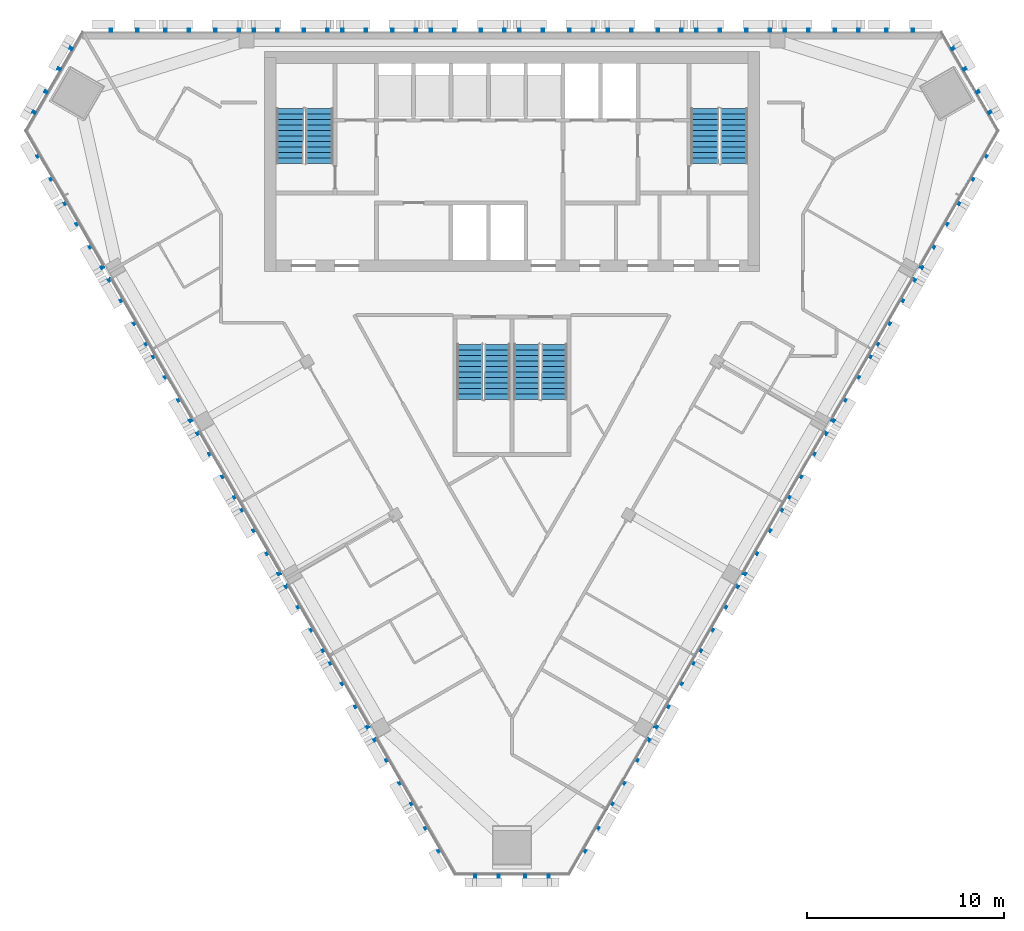
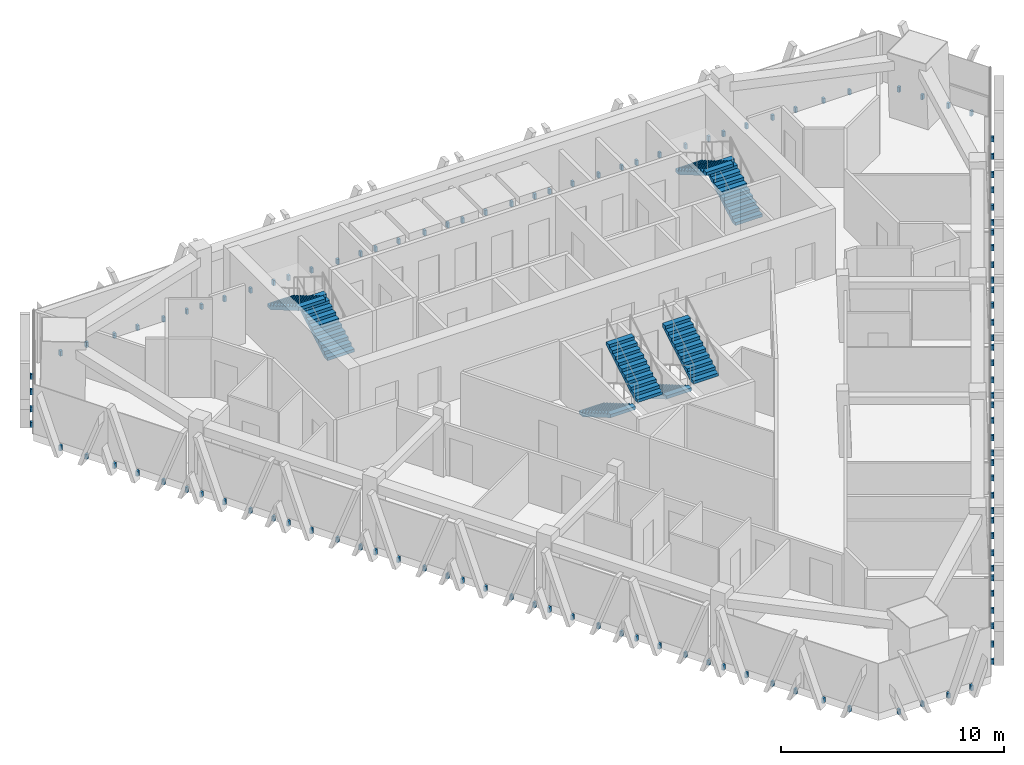
# One storey, part 11 of 14: 8 stair flights, 6 discrete accessories, 4 elements without a shape of their own.
"""IFC4 building model written with IfcOpenShell, lengths in metres."""

from ifc_helpers import new_model, si_unit, direction, frame, origin, place, context, subcontext, project, spatial, polyline, outline, extrude, source, transform, mapped, material, type_object, element, aggregate, save


model = new_model("IFC4")

# Units and contexts
model_context = context("Model", 3, precision=1e-05, world=origin(), true_north=direction((0.0, 1.0)))
body_context = subcontext(model_context, "Body", "Model", "MODEL_VIEW")
ifc_project = project(units=[si_unit("LENGTHUNIT", "METRE"), si_unit("AREAUNIT", "SQUARE_METRE"), si_unit("VOLUMEUNIT", "CUBIC_METRE"), si_unit("PLANEANGLEUNIT", "RADIAN"), si_unit("MASSUNIT", "GRAM", prefix="KILO")], contexts=[model_context])

# Site, building, storey
site_placement = place(None, origin())
site = spatial("IfcSite", under=ifc_project, at=site_placement, CompositionType="ELEMENT")
building_placement = place(site_placement, origin())
building = spatial("IfcBuilding", under=site, at=building_placement, Name="Altiplano Prism Tower", CompositionType="ELEMENT")
storey_placement = place(building_placement, frame((0.0, 0.0, 223.0)))
storey = spatial("IfcBuildingStorey", under=building, at=storey_placement, Name="L57", CompositionType="ELEMENT", Elevation=223.0)

# Stair, stair flights
ifc_material_1 = material(Name="Concrete C40/50", Category="concrete")
stair_type_1 = type_object("IfcStairType", Name="Exit stair 1400", PredefinedType="HALF_TURN_STAIR", material=ifc_material_1)
stair_1_placement = place(storey_placement, origin())
stair_1 = element("IfcStair", 1, at=stair_1_placement, inside=storey, type_object=stair_type_1, Name="L57 Exit Stair 1", PredefinedType="HALF_TURN_STAIR")
stair_flight_type = type_object("IfcStairFlightType", Name="Stair flight concrete 150", PredefinedType="STRAIGHT", material=ifc_material_1)
stair_flight_1_placement = place(storey_placement, frame((75.199951171875, 98.300048828125, 0.0), z_axis=(0.0, 0.0, 1.0), x_axis=(0.0, 1.0, 0.0)))
stair_flight_1 = element("IfcStairFlight", 2, at=stair_flight_1_placement, type_object=stair_flight_type, Name="ST1 flight 1", NumberOfRisers=11, NumberOfTreads=10, PredefinedType="STRAIGHT", RiserHeight=0.163636364, TreadLength=0.28, context=body_context, shape_type="SweptSolid", body=[
    extrude(outline(polyline([(0.0, 0.0), (0.0, 0.16357421875), (0.280029296875, 0.16357421875), (0.280029296875, 0.327392578125), (0.56005859375, 0.327392578125), (0.56005859375, 0.490966796875), (0.840087890625, 0.490966796875), (0.840087890625, 0.654541015625), (1.1201171875, 0.654541015625), (1.1201171875, 0.818115234375), (1.39990234375, 0.818115234375), (1.39990234375, 0.98193359375), (1.679931640625, 0.98193359375), (1.679931640625, 1.1455078125), (1.9599609375, 1.1455078125), (1.9599609375, 1.30908203125), (2.239990234375, 1.30908203125), (2.239990234375, 1.47265625), (2.52001953125, 1.47265625), (2.52001953125, 1.636474609375), (2.800048828125, 1.636474609375), (2.800048828125, 1.800048828125), (2.800048828125, 1.462646484375), (0.297119140625, 0.0), (0.0, 0.0)])), frame((0.0, 0.699951171875, 0.0), z_axis=(0.0, -1.0, 0.0), x_axis=(1.0, 0.0, 0.0)), (0.0, 0.0, 1.0), 1.39990234375),
])
stair_flight_2_placement = place(storey_placement, frame((73.699951171875, 101.10009765625, 1.800048828125), z_axis=(0.0, 0.0, 1.0), x_axis=(0.0, -1.0, 0.0)))
stair_flight_2 = element("IfcStairFlight", 3, at=stair_flight_2_placement, type_object=stair_flight_type, Name="ST1 flight 2", NumberOfRisers=11, NumberOfTreads=10, PredefinedType="STRAIGHT", RiserHeight=0.163636364, TreadLength=0.28, context=body_context, shape_type="SweptSolid", body=[
    extrude(outline(polyline([(0.0, 0.0), (0.0, 0.16357421875), (0.280029296875, 0.16357421875), (0.280029296875, 0.327392578125), (0.56005859375, 0.327392578125), (0.56005859375, 0.490966796875), (0.840087890625, 0.490966796875), (0.840087890625, 0.654541015625), (1.1201171875, 0.654541015625), (1.1201171875, 0.818115234375), (1.39990234375, 0.818115234375), (1.39990234375, 0.98193359375), (1.679931640625, 0.98193359375), (1.679931640625, 1.1455078125), (1.9599609375, 1.1455078125), (1.9599609375, 1.30908203125), (2.239990234375, 1.30908203125), (2.239990234375, 1.47265625), (2.52001953125, 1.47265625), (2.52001953125, 1.636474609375), (2.800048828125, 1.636474609375), (2.800048828125, 1.800048828125), (2.800048828125, 1.462646484375), (0.297119140625, 0.0), (0.0, 0.0)])), frame((0.0, 0.699951171875, 0.0), z_axis=(0.0, -1.0, 0.0), x_axis=(1.0, 0.0, 0.0)), (0.0, 0.0, 1.0), 1.39990234375),
])
aggregate(stair_1, [stair_flight_1, stair_flight_2])

stair_2_placement = place(storey_placement, origin())
stair_2 = element("IfcStair", 4, at=stair_2_placement, inside=storey, type_object=stair_type_1, Name="L57 Exit Stair 2", PredefinedType="HALF_TURN_STAIR")
stair_flight_3_placement = place(storey_placement, frame((96.300048828125, 98.300048828125, 0.0), z_axis=(0.0, 0.0, 1.0), x_axis=(0.0, 1.0, 0.0)))
stair_flight_3 = element("IfcStairFlight", 5, at=stair_flight_3_placement, type_object=stair_flight_type, Name="ST2 flight 1", NumberOfRisers=11, NumberOfTreads=10, PredefinedType="STRAIGHT", RiserHeight=0.163636364, TreadLength=0.28, context=body_context, shape_type="SweptSolid", body=[
    extrude(outline(polyline([(0.0, 0.0), (0.0, 0.16357421875), (0.280029296875, 0.16357421875), (0.280029296875, 0.327392578125), (0.56005859375, 0.327392578125), (0.56005859375, 0.490966796875), (0.840087890625, 0.490966796875), (0.840087890625, 0.654541015625), (1.1201171875, 0.654541015625), (1.1201171875, 0.818115234375), (1.39990234375, 0.818115234375), (1.39990234375, 0.98193359375), (1.679931640625, 0.98193359375), (1.679931640625, 1.1455078125), (1.9599609375, 1.1455078125), (1.9599609375, 1.30908203125), (2.239990234375, 1.30908203125), (2.239990234375, 1.47265625), (2.52001953125, 1.47265625), (2.52001953125, 1.636474609375), (2.800048828125, 1.636474609375), (2.800048828125, 1.800048828125), (2.800048828125, 1.462646484375), (0.297119140625, 0.0), (0.0, 0.0)])), frame((0.0, 0.699951171875, 0.0), z_axis=(0.0, -1.0, 0.0), x_axis=(1.0, 0.0, 0.0)), (0.0, 0.0, 1.0), 1.39990234375),
])
stair_flight_4_placement = place(storey_placement, frame((94.800048828125, 101.10009765625, 1.800048828125), z_axis=(0.0, 0.0, 1.0), x_axis=(0.0, -1.0, 0.0)))
stair_flight_4 = element("IfcStairFlight", 6, at=stair_flight_4_placement, type_object=stair_flight_type, Name="ST2 flight 2", NumberOfRisers=11, NumberOfTreads=10, PredefinedType="STRAIGHT", RiserHeight=0.163636364, TreadLength=0.28, context=body_context, shape_type="SweptSolid", body=[
    extrude(outline(polyline([(0.0, 0.0), (0.0, 0.16357421875), (0.280029296875, 0.16357421875), (0.280029296875, 0.327392578125), (0.56005859375, 0.327392578125), (0.56005859375, 0.490966796875), (0.840087890625, 0.490966796875), (0.840087890625, 0.654541015625), (1.1201171875, 0.654541015625), (1.1201171875, 0.818115234375), (1.39990234375, 0.818115234375), (1.39990234375, 0.98193359375), (1.679931640625, 0.98193359375), (1.679931640625, 1.1455078125), (1.9599609375, 1.1455078125), (1.9599609375, 1.30908203125), (2.239990234375, 1.30908203125), (2.239990234375, 1.47265625), (2.52001953125, 1.47265625), (2.52001953125, 1.636474609375), (2.800048828125, 1.636474609375), (2.800048828125, 1.800048828125), (2.800048828125, 1.462646484375), (0.297119140625, 0.0), (0.0, 0.0)])), frame((0.0, 0.699951171875, 0.0), z_axis=(0.0, -1.0, 0.0), x_axis=(1.0, 0.0, 0.0)), (0.0, 0.0, 1.0), 1.39990234375),
])
aggregate(stair_2, [stair_flight_3, stair_flight_4])

stair_type_2 = type_object("IfcStairType", Name="Exit stair 1300", PredefinedType="HALF_TURN_STAIR", material=ifc_material_1)
stair_3_placement = place(storey_placement, origin())
stair_3 = element("IfcStair", 7, at=stair_3_placement, inside=storey, type_object=stair_type_2, Name="L57 Exit Stair 3A", PredefinedType="HALF_TURN_STAIR")
stair_flight_5_placement = place(storey_placement, frame((82.85009765625, 89.10009765625, 0.0), z_axis=(0.0, 0.0, 1.0), x_axis=(0.0, -1.0, 0.0)))
stair_flight_5 = element("IfcStairFlight", 8, at=stair_flight_5_placement, type_object=stair_flight_type, Name="ST3A flight 1", NumberOfRisers=11, NumberOfTreads=10, PredefinedType="STRAIGHT", RiserHeight=0.163636364, TreadLength=0.28, context=body_context, shape_type="SweptSolid", body=[
    extrude(outline(polyline([(0.0, 0.0), (0.0, 0.16357421875), (0.280029296875, 0.16357421875), (0.280029296875, 0.327392578125), (0.56005859375, 0.327392578125), (0.56005859375, 0.490966796875), (0.840087890625, 0.490966796875), (0.840087890625, 0.654541015625), (1.1201171875, 0.654541015625), (1.1201171875, 0.818115234375), (1.39990234375, 0.818115234375), (1.39990234375, 0.98193359375), (1.679931640625, 0.98193359375), (1.679931640625, 1.1455078125), (1.9599609375, 1.1455078125), (1.9599609375, 1.30908203125), (2.239990234375, 1.30908203125), (2.239990234375, 1.47265625), (2.52001953125, 1.47265625), (2.52001953125, 1.636474609375), (2.800048828125, 1.636474609375), (2.800048828125, 1.800048828125), (2.800048828125, 1.462646484375), (0.297119140625, 0.0), (0.0, 0.0)])), frame((0.0, 0.64990234375, 0.0), z_axis=(0.0, -1.0, 0.0), x_axis=(1.0, 0.0, 0.0)), (0.0, 0.0, 1.0), 1.300048828125),
])
stair_flight_6_placement = place(storey_placement, frame((84.25, 86.300048828125, 1.800048828125), z_axis=(0.0, 0.0, 1.0), x_axis=(0.0, 1.0, 0.0)))
stair_flight_6 = element("IfcStairFlight", 9, at=stair_flight_6_placement, type_object=stair_flight_type, Name="ST3A flight 2", NumberOfRisers=11, NumberOfTreads=10, PredefinedType="STRAIGHT", RiserHeight=0.163636364, TreadLength=0.28, context=body_context, shape_type="SweptSolid", body=[
    extrude(outline(polyline([(0.0, 0.0), (0.0, 0.16357421875), (0.280029296875, 0.16357421875), (0.280029296875, 0.327392578125), (0.56005859375, 0.327392578125), (0.56005859375, 0.490966796875), (0.840087890625, 0.490966796875), (0.840087890625, 0.654541015625), (1.1201171875, 0.654541015625), (1.1201171875, 0.818115234375), (1.39990234375, 0.818115234375), (1.39990234375, 0.98193359375), (1.679931640625, 0.98193359375), (1.679931640625, 1.1455078125), (1.9599609375, 1.1455078125), (1.9599609375, 1.30908203125), (2.239990234375, 1.30908203125), (2.239990234375, 1.47265625), (2.52001953125, 1.47265625), (2.52001953125, 1.636474609375), (2.800048828125, 1.636474609375), (2.800048828125, 1.800048828125), (2.800048828125, 1.462646484375), (0.297119140625, 0.0), (0.0, 0.0)])), frame((0.0, 0.64990234375, 0.0), z_axis=(0.0, -1.0, 0.0), x_axis=(1.0, 0.0, 0.0)), (0.0, 0.0, 1.0), 1.300048828125),
])
aggregate(stair_3, [stair_flight_5, stair_flight_6])

stair_4_placement = place(storey_placement, origin())
stair_4 = element("IfcStair", 10, at=stair_4_placement, inside=storey, type_object=stair_type_2, Name="L57 Exit Stair 3B", PredefinedType="HALF_TURN_STAIR")
stair_flight_7_placement = place(storey_placement, frame((85.75, 89.10009765625, 0.0), z_axis=(0.0, 0.0, 1.0), x_axis=(0.0, -1.0, 0.0)))
stair_flight_7 = element("IfcStairFlight", 11, at=stair_flight_7_placement, type_object=stair_flight_type, Name="ST3B flight 1", NumberOfRisers=11, NumberOfTreads=10, PredefinedType="STRAIGHT", RiserHeight=0.163636364, TreadLength=0.28, context=body_context, shape_type="SweptSolid", body=[
    extrude(outline(polyline([(0.0, 0.0), (0.0, 0.16357421875), (0.280029296875, 0.16357421875), (0.280029296875, 0.327392578125), (0.56005859375, 0.327392578125), (0.56005859375, 0.490966796875), (0.840087890625, 0.490966796875), (0.840087890625, 0.654541015625), (1.1201171875, 0.654541015625), (1.1201171875, 0.818115234375), (1.39990234375, 0.818115234375), (1.39990234375, 0.98193359375), (1.679931640625, 0.98193359375), (1.679931640625, 1.1455078125), (1.9599609375, 1.1455078125), (1.9599609375, 1.30908203125), (2.239990234375, 1.30908203125), (2.239990234375, 1.47265625), (2.52001953125, 1.47265625), (2.52001953125, 1.636474609375), (2.800048828125, 1.636474609375), (2.800048828125, 1.800048828125), (2.800048828125, 1.462646484375), (0.297119140625, 0.0), (0.0, 0.0)])), frame((0.0, 0.64990234375, 0.0), z_axis=(0.0, -1.0, 0.0), x_axis=(1.0, 0.0, 0.0)), (0.0, 0.0, 1.0), 1.300048828125),
])
stair_flight_8_placement = place(storey_placement, frame((87.14990234375, 86.300048828125, 1.800048828125), z_axis=(0.0, 0.0, 1.0), x_axis=(0.0, 1.0, 0.0)))
stair_flight_8 = element("IfcStairFlight", 12, at=stair_flight_8_placement, type_object=stair_flight_type, Name="ST3B flight 2", NumberOfRisers=11, NumberOfTreads=10, PredefinedType="STRAIGHT", RiserHeight=0.163636364, TreadLength=0.28, context=body_context, shape_type="SweptSolid", body=[
    extrude(outline(polyline([(0.0, 0.0), (0.0, 0.16357421875), (0.280029296875, 0.16357421875), (0.280029296875, 0.327392578125), (0.56005859375, 0.327392578125), (0.56005859375, 0.490966796875), (0.840087890625, 0.490966796875), (0.840087890625, 0.654541015625), (1.1201171875, 0.654541015625), (1.1201171875, 0.818115234375), (1.39990234375, 0.818115234375), (1.39990234375, 0.98193359375), (1.679931640625, 0.98193359375), (1.679931640625, 1.1455078125), (1.9599609375, 1.1455078125), (1.9599609375, 1.30908203125), (2.239990234375, 1.30908203125), (2.239990234375, 1.47265625), (2.52001953125, 1.47265625), (2.52001953125, 1.636474609375), (2.800048828125, 1.636474609375), (2.800048828125, 1.800048828125), (2.800048828125, 1.462646484375), (0.297119140625, 0.0), (0.0, 0.0)])), frame((0.0, 0.64990234375, 0.0), z_axis=(0.0, -1.0, 0.0), x_axis=(1.0, 0.0, 0.0)), (0.0, 0.0, 1.0), 1.300048828125),
])
aggregate(stair_4, [stair_flight_7, stair_flight_8])

# Discrete accessories
ifc_material_2 = material(Name="Stainless steel", Category="steel")
discrete_accessory_type = type_object("IfcDiscreteAccessoryType", Name="Stone fin fixing prongs", PredefinedType="USERDEFINED", material=ifc_material_2)
shared_shape_1 = source(origin(), body_context, "Body", "SweptSolid", [
    extrude(outline(polyline([(-0.73291015625, 0.06005859375), (-0.61279296875, 0.06005859375), (-0.61279296875, 0.340087890625), (-0.73291015625, 0.340087890625), (-0.73291015625, 0.06005859375)])), frame((0.0, 0.0, 0.0), z_axis=(0.0, -1.0, 0.0), x_axis=(1.0, 0.0, 0.0)), (0.0, 0.0, 1.0), 0.14990234375),
    extrude(outline(polyline([(0.61279296875, 0.06005859375), (0.73291015625, 0.06005859375), (0.73291015625, 0.340087890625), (0.61279296875, 0.340087890625), (0.61279296875, 0.06005859375)])), frame((0.0, 0.0, 0.0), z_axis=(0.0, -1.0, 0.0), x_axis=(1.0, 0.0, 0.0)), (0.0, 0.0, 1.0), 0.14990234375),
])
shared_shape_2 = source(origin(), body_context, "Body", "SweptSolid", [
    extrude(outline(polyline([(-1.932861328125, 0.06005859375), (-1.812744140625, 0.06005859375), (-1.812744140625, 0.340087890625), (-1.932861328125, 0.340087890625), (-1.932861328125, 0.06005859375)])), frame((0.0, 0.0, 0.0), z_axis=(0.0, -1.0, 0.0), x_axis=(1.0, 0.0, 0.0)), (0.0, 0.0, 1.0), 0.14990234375),
    extrude(outline(polyline([(-0.73291015625, 0.06005859375), (-0.61279296875, 0.06005859375), (-0.61279296875, 0.340087890625), (-0.73291015625, 0.340087890625), (-0.73291015625, 0.06005859375)])), frame((0.0, 0.0, 0.0), z_axis=(0.0, -1.0, 0.0), x_axis=(1.0, 0.0, 0.0)), (0.0, 0.0, 1.0), 0.14990234375),
    extrude(outline(polyline([(0.61279296875, 0.06005859375), (0.73291015625, 0.06005859375), (0.73291015625, 0.340087890625), (0.61279296875, 0.340087890625), (0.61279296875, 0.06005859375)])), frame((0.0, 0.0, 0.0), z_axis=(0.0, -1.0, 0.0), x_axis=(1.0, 0.0, 0.0)), (0.0, 0.0, 1.0), 0.14990234375),
    extrude(outline(polyline([(1.812744140625, 0.06005859375), (1.932861328125, 0.06005859375), (1.932861328125, 0.340087890625), (1.812744140625, 0.340087890625), (1.812744140625, 0.06005859375)])), frame((0.0, 0.0, 0.0), z_axis=(0.0, -1.0, 0.0), x_axis=(1.0, 0.0, 0.0)), (0.0, 0.0, 1.0), 0.14990234375),
])
discrete_accessory_1_placement = place(storey_placement, origin())
element("IfcDiscreteAccessory", 13, at=discrete_accessory_1_placement, inside=storey, type_object=discrete_accessory_type, Name="Fin fixings L57 north face", ObjectType="BRACKET", PredefinedType="USERDEFINED", context=body_context, shape_type="MappedRepresentation", body=[
    mapped(shared_shape_1, transform((104.726806640625, 105.0, -0.39990234375), x_axis=(-1.0, 0.0, 0.0), y_axis=(0.0, -1.0, 0.0), z_axis=(0.0, 0.0, 1.0))),
    mapped(shared_shape_2, transform((100.75, 105.0, -0.39990234375), x_axis=(-1.0, 0.0, 0.0), y_axis=(0.0, -1.0, 0.0), z_axis=(0.0, 0.0, 1.0))),
    mapped(shared_shape_2, transform((96.25, 105.0, -0.39990234375), x_axis=(-1.0, 0.0, 0.0), y_axis=(0.0, -1.0, 0.0), z_axis=(0.0, 0.0, 1.0))),
    mapped(shared_shape_2, transform((91.75, 105.0, -0.39990234375), x_axis=(-1.0, 0.0, 0.0), y_axis=(0.0, -1.0, 0.0), z_axis=(0.0, 0.0, 1.0))),
    mapped(shared_shape_2, transform((87.25, 105.0, -0.39990234375), x_axis=(-1.0, 0.0, 0.0), y_axis=(0.0, -1.0, 0.0), z_axis=(0.0, 0.0, 1.0))),
    mapped(shared_shape_2, transform((82.75, 105.0, -0.39990234375), x_axis=(-1.0, 0.0, 0.0), y_axis=(0.0, -1.0, 0.0), z_axis=(0.0, 0.0, 1.0))),
    mapped(shared_shape_2, transform((78.25, 105.0, -0.39990234375), x_axis=(-1.0, 0.0, 0.0), y_axis=(0.0, -1.0, 0.0), z_axis=(0.0, 0.0, 1.0))),
    mapped(shared_shape_2, transform((73.75, 105.0, -0.39990234375), x_axis=(-1.0, 0.0, 0.0), y_axis=(0.0, -1.0, 0.0), z_axis=(0.0, 0.0, 1.0))),
    mapped(shared_shape_2, transform((69.25, 105.0, -0.39990234375), x_axis=(-1.0, 0.0, 0.0), y_axis=(0.0, -1.0, 0.0), z_axis=(0.0, 0.0, 1.0))),
    mapped(shared_shape_1, transform((65.273193359375, 105.0, -0.39990234375), x_axis=(-1.0, 0.0, 0.0), y_axis=(0.0, -1.0, 0.0), z_axis=(0.0, 0.0, 1.0))),
])
discrete_accessory_2_placement = place(storey_placement, origin())
element("IfcDiscreteAccessory", 14, at=discrete_accessory_2_placement, inside=storey, type_object=discrete_accessory_type, Name="Fin fixings L57 south-west face", ObjectType="BRACKET", PredefinedType="USERDEFINED", context=body_context, shape_type="MappedRepresentation", body=[
    mapped(shared_shape_1, transform((61.304931640625, 98.126953125, -0.39990234375), x_axis=(0.499999991742, -0.866025408552, 0.0), y_axis=(0.866025408552, 0.499999991742, 0.0), z_axis=(0.0, 0.0, 1.0))),
    mapped(shared_shape_2, transform((63.29345703125, 94.682861328125, -0.39990234375), x_axis=(0.499999991742, -0.866025408552, 0.0), y_axis=(0.866025408552, 0.499999991742, 0.0), z_axis=(0.0, 0.0, 1.0))),
    mapped(shared_shape_2, transform((65.54345703125, 90.785888671875, -0.39990234375), x_axis=(0.499999991742, -0.866025408552, 0.0), y_axis=(0.866025408552, 0.499999991742, 0.0), z_axis=(0.0, 0.0, 1.0))),
    mapped(shared_shape_2, transform((67.79345703125, 86.888671875, -0.39990234375), x_axis=(0.499999991742, -0.866025408552, 0.0), y_axis=(0.866025408552, 0.499999991742, 0.0), z_axis=(0.0, 0.0, 1.0))),
    mapped(shared_shape_2, transform((70.04345703125, 82.99169921875, -0.39990234375), x_axis=(0.499999991742, -0.866025408552, 0.0), y_axis=(0.866025408552, 0.499999991742, 0.0), z_axis=(0.0, 0.0, 1.0))),
    mapped(shared_shape_2, transform((72.29345703125, 79.094482421875, -0.39990234375), x_axis=(0.499999991742, -0.866025408552, 0.0), y_axis=(0.866025408552, 0.499999991742, 0.0), z_axis=(0.0, 0.0, 1.0))),
    mapped(shared_shape_2, transform((74.54345703125, 75.197509765625, -0.39990234375), x_axis=(0.499999991742, -0.866025408552, 0.0), y_axis=(0.866025408552, 0.499999991742, 0.0), z_axis=(0.0, 0.0, 1.0))),
    mapped(shared_shape_2, transform((76.79345703125, 71.30029296875, -0.39990234375), x_axis=(0.499999991742, -0.866025408552, 0.0), y_axis=(0.866025408552, 0.499999991742, 0.0), z_axis=(0.0, 0.0, 1.0))),
    mapped(shared_shape_2, transform((79.04345703125, 67.403076171875, -0.39990234375), x_axis=(0.499999991742, -0.866025408552, 0.0), y_axis=(0.866025408552, 0.499999991742, 0.0), z_axis=(0.0, 0.0, 1.0))),
    mapped(shared_shape_1, transform((81.031982421875, 63.959228515625, -0.39990234375), x_axis=(0.499999991742, -0.866025408552, 0.0), y_axis=(0.866025408552, 0.499999991742, 0.0), z_axis=(0.0, 0.0, 1.0))),
])
discrete_accessory_3_placement = place(storey_placement, origin())
element("IfcDiscreteAccessory", 15, at=discrete_accessory_3_placement, inside=storey, type_object=discrete_accessory_type, Name="Fin fixings L57 south-east face", ObjectType="BRACKET", PredefinedType="USERDEFINED", context=body_context, shape_type="MappedRepresentation", body=[
    mapped(shared_shape_1, transform((88.968017578125, 63.959228515625, -0.39990234375), x_axis=(0.499999991742, 0.866025408552, 0.0), y_axis=(-0.866025408552, 0.499999991742, 0.0), z_axis=(0.0, 0.0, 1.0))),
    mapped(shared_shape_2, transform((90.95654296875, 67.403076171875, -0.39990234375), x_axis=(0.499999991742, 0.866025408552, 0.0), y_axis=(-0.866025408552, 0.499999991742, 0.0), z_axis=(0.0, 0.0, 1.0))),
    mapped(shared_shape_2, transform((93.20654296875, 71.30029296875, -0.39990234375), x_axis=(0.499999991742, 0.866025408552, 0.0), y_axis=(-0.866025408552, 0.499999991742, 0.0), z_axis=(0.0, 0.0, 1.0))),
    mapped(shared_shape_2, transform((95.45654296875, 75.197509765625, -0.39990234375), x_axis=(0.499999991742, 0.866025408552, 0.0), y_axis=(-0.866025408552, 0.499999991742, 0.0), z_axis=(0.0, 0.0, 1.0))),
    mapped(shared_shape_2, transform((97.70654296875, 79.094482421875, -0.39990234375), x_axis=(0.499999991742, 0.866025408552, 0.0), y_axis=(-0.866025408552, 0.499999991742, 0.0), z_axis=(0.0, 0.0, 1.0))),
    mapped(shared_shape_2, transform((99.95654296875, 82.99169921875, -0.39990234375), x_axis=(0.499999991742, 0.866025408552, 0.0), y_axis=(-0.866025408552, 0.499999991742, 0.0), z_axis=(0.0, 0.0, 1.0))),
    mapped(shared_shape_2, transform((102.20654296875, 86.888671875, -0.39990234375), x_axis=(0.499999991742, 0.866025408552, 0.0), y_axis=(-0.866025408552, 0.499999991742, 0.0), z_axis=(0.0, 0.0, 1.0))),
    mapped(shared_shape_2, transform((104.45654296875, 90.785888671875, -0.39990234375), x_axis=(0.499999991742, 0.866025408552, 0.0), y_axis=(-0.866025408552, 0.499999991742, 0.0), z_axis=(0.0, 0.0, 1.0))),
    mapped(shared_shape_2, transform((106.70654296875, 94.682861328125, -0.39990234375), x_axis=(0.499999991742, 0.866025408552, 0.0), y_axis=(-0.866025408552, 0.499999991742, 0.0), z_axis=(0.0, 0.0, 1.0))),
    mapped(shared_shape_1, transform((108.695068359375, 98.126953125, -0.39990234375), x_axis=(0.499999991742, 0.866025408552, 0.0), y_axis=(-0.866025408552, 0.499999991742, 0.0), z_axis=(0.0, 0.0, 1.0))),
])
shared_shape_3 = source(origin(), body_context, "Body", "SweptSolid", [
    extrude(outline(polyline([(-1.932861328125, 0.06005859375), (-1.812744140625, 0.06005859375), (-1.812744140625, 0.340087890625), (-1.932861328125, 0.340087890625), (-1.932861328125, 0.06005859375)])), frame((0.0, 0.0, 0.0), z_axis=(0.0, -1.0, 0.0), x_axis=(1.0, 0.0, 0.0)), (0.0, 0.0, 1.0), 0.14990234375),
    extrude(outline(polyline([(-0.73291015625, 0.06005859375), (-0.61279296875, 0.06005859375), (-0.61279296875, 0.340087890625), (-0.73291015625, 0.340087890625), (-0.73291015625, 0.06005859375)])), frame((0.0, 0.0, 0.0), z_axis=(0.0, -1.0, 0.0), x_axis=(1.0, 0.0, 0.0)), (0.0, 0.0, 1.0), 0.14990234375),
    extrude(outline(polyline([(0.61279296875, 0.06005859375), (0.73291015625, 0.06005859375), (0.73291015625, 0.340087890625), (0.61279296875, 0.340087890625), (0.61279296875, 0.06005859375)])), frame((0.0, 0.0, 0.0), z_axis=(0.0, -1.0, 0.0), x_axis=(1.0, 0.0, 0.0)), (0.0, 0.0, 1.0), 0.14990234375),
    extrude(outline(polyline([(1.812744140625, 0.06005859375), (1.932861328125, 0.06005859375), (1.932861328125, 0.340087890625), (1.812744140625, 0.340087890625), (1.812744140625, 0.06005859375)])), frame((0.0, 0.0, 0.0), z_axis=(0.0, -1.0, 0.0), x_axis=(1.0, 0.0, 0.0)), (0.0, 0.0, 1.0), 0.14990234375),
])
discrete_accessory_4_placement = place(storey_placement, origin())
element("IfcDiscreteAccessory", 16, at=discrete_accessory_4_placement, inside=storey, type_object=discrete_accessory_type, Name="Fin fixings L57 north-west chamfer", ObjectType="BRACKET", PredefinedType="USERDEFINED", context=body_context, shape_type="MappedRepresentation", body=[
    mapped(shared_shape_3, transform((61.694091796875, 102.484375, -0.39990234375), x_axis=(-0.500000067794, -0.866025364643, 0.0), y_axis=(0.866025364643, -0.500000067794, 0.0), z_axis=(0.0, 0.0, 1.0))),
])
discrete_accessory_5_placement = place(storey_placement, origin())
element("IfcDiscreteAccessory", 17, at=discrete_accessory_5_placement, inside=storey, type_object=discrete_accessory_type, Name="Fin fixings L57 south chamfer", ObjectType="BRACKET", PredefinedType="USERDEFINED", context=body_context, shape_type="MappedRepresentation", body=[
    mapped(shared_shape_3, transform((85.0, 62.1171875, -0.39990234375), x_axis=(1.0, 0.0, 0.0), y_axis=(0.0, 1.0, 0.0), z_axis=(0.0, 0.0, 1.0))),
])
discrete_accessory_6_placement = place(storey_placement, origin())
element("IfcDiscreteAccessory", 18, at=discrete_accessory_6_placement, inside=storey, type_object=discrete_accessory_type, Name="Fin fixings L57 north-east chamfer", ObjectType="BRACKET", PredefinedType="USERDEFINED", context=body_context, shape_type="MappedRepresentation", body=[
    mapped(shared_shape_3, transform((108.305908203125, 102.484375, -0.39990234375), x_axis=(-0.500000067794, 0.866025364643, 0.0), y_axis=(-0.866025364643, -0.500000067794, 0.0), z_axis=(0.0, 0.0, 1.0))),
])

save(model, "model.ifc")
